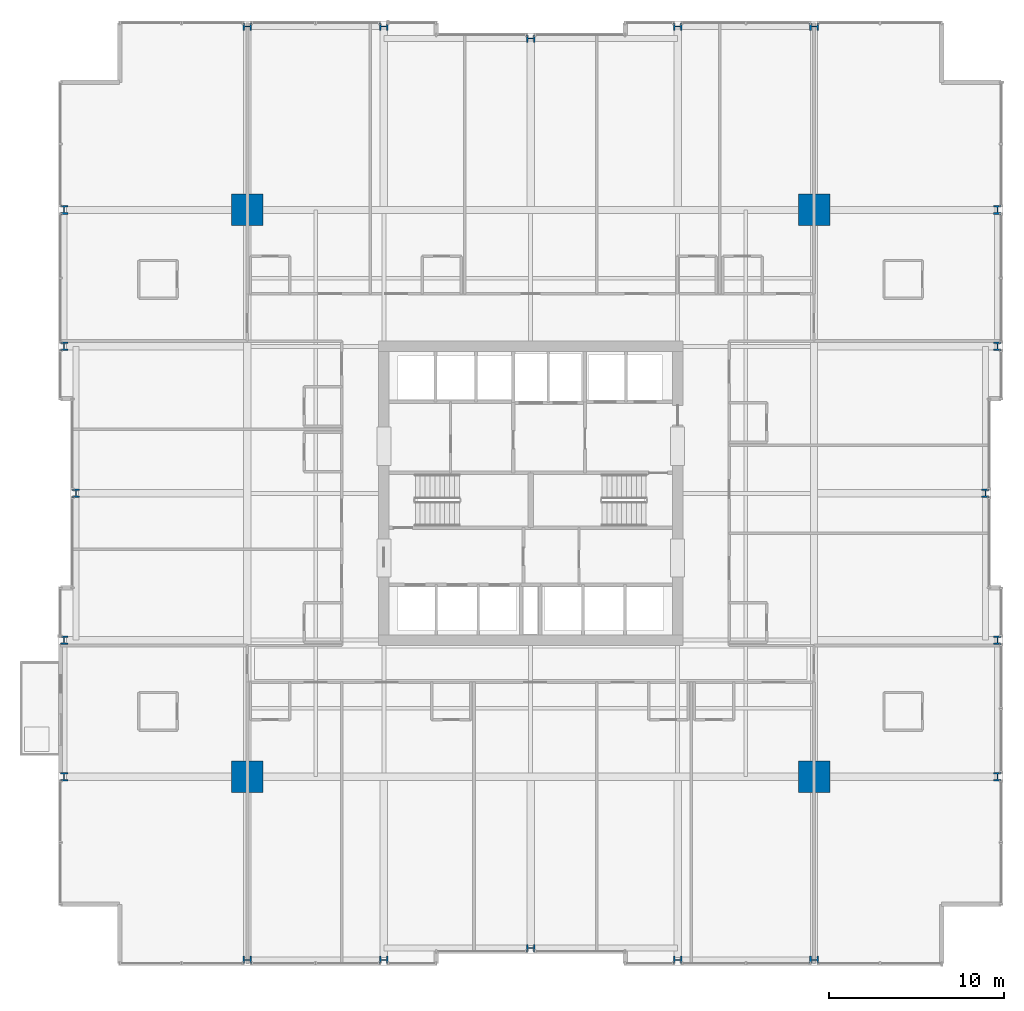
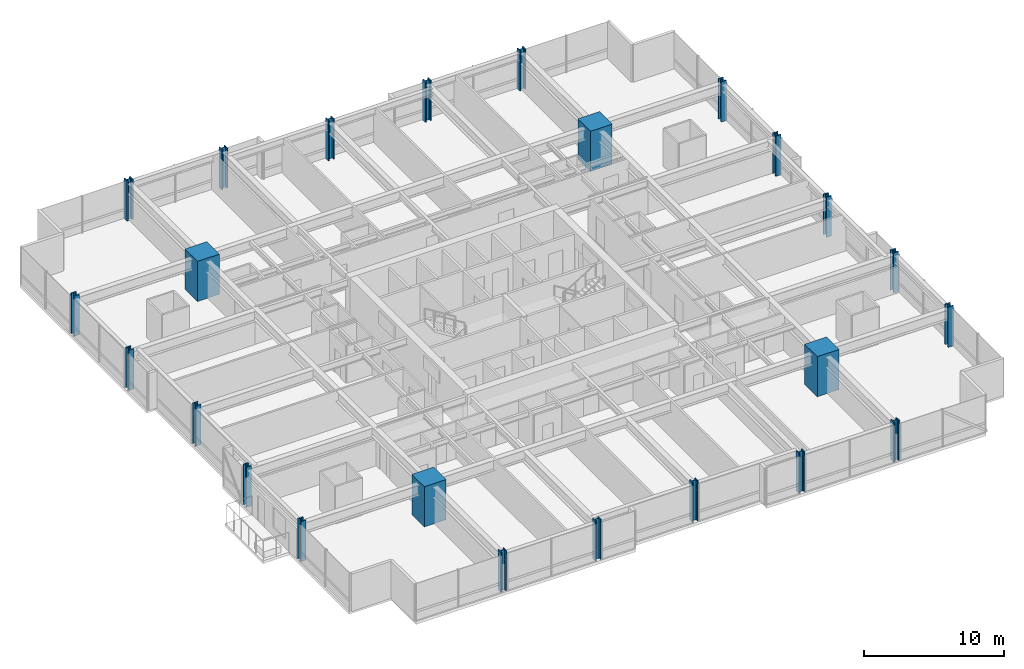
# One storey, part 1 of 39: 24 columns.
"""IFC4 building model written with IfcOpenShell, lengths in metres."""

from ifc_helpers import new_model, si_unit, direction, frame, origin, origin_2d, place, context, subcontext, project, spatial, rectangle, i_section, extrude, material, material_profile, profile_set, type_object, element, save


model = new_model("IFC4")

# Units and contexts
model_context = context("Model", 3, precision=1e-05, world=origin(), true_north=direction((0.0, 1.0)))
body_context = subcontext(model_context, "Body", "Model", "MODEL_VIEW")
ifc_project = project(units=[si_unit("LENGTHUNIT", "METRE"), si_unit("AREAUNIT", "SQUARE_METRE"), si_unit("VOLUMEUNIT", "CUBIC_METRE"), si_unit("PLANEANGLEUNIT", "RADIAN"), si_unit("MASSUNIT", "GRAM", prefix="KILO")], contexts=[model_context])

# Site, building, storey
site_placement = place(None, origin())
site = spatial("IfcSite", under=ifc_project, at=site_placement, CompositionType="ELEMENT")
building_placement = place(site_placement, origin())
building = spatial("IfcBuilding", under=site, at=building_placement, Name="Drelvath Grand Hotel", CompositionType="ELEMENT")
storey_placement = place(building_placement, frame((0.0, 0.0, 54.199951171875)))
storey = spatial("IfcBuildingStorey", under=building, at=storey_placement, Name="L12", CompositionType="ELEMENT", Elevation=54.199951171875)

# Columns
ifc_material_1 = material(Name="Concrete f'c 70 MPa", Category="concrete")
ifc_material_profile_1 = material_profile(ifc_material_1, rectangle(XDim=1.800048828125, YDim=1.800048828125, at=origin_2d()), Name="MC1800X1800")
ifc_profile_set_1 = profile_set([ifc_material_profile_1], Name="Concrete f'c 70 MPa")
column_type_1 = type_object("IfcColumnType", Name="Composite Mega Column MC1800X1800", PredefinedType="COLUMN", material=ifc_profile_set_1)
for number, where, z_axis, x_axis, name in (
    (1, (-16.199951171875, 10.800048828125, 0.0), (0.0, 0.0, 1.0), (1.0, 0.0, 0.0), "L12 Composite Mega Column MC-SW"),
    (2, (16.199951171875, 10.800048828125, 0.0), (0.0, 0.0, 1.0), (1.0, 0.0, 0.0), "L12 Composite Mega Column MC-SE"),
    (3, (-16.199951171875, 43.199951171875, 0.0), (0.0, 0.0, 1.0), (1.0, 0.0, 0.0), "L12 Composite Mega Column MC-NW"),
    (4, (16.199951171875, 43.199951171875, 0.0), (0.0, 0.0, 1.0), (1.0, 0.0, 0.0), "L12 Composite Mega Column MC-NE"),
):
    element("IfcColumn", number, at=place(storey_placement, frame(where, z_axis=z_axis, x_axis=x_axis)), inside=storey, type_object=column_type_1, Name=name, PredefinedType="COLUMN", context=body_context, shape_type="SweptSolid", body=[
        extrude(rectangle(XDim=1.800048828125, YDim=1.800048828125, at=origin_2d()), origin(), (0.0, 0.0, 1.0), 3.5),
    ])
ifc_material_2 = material(Name="Steel ASTM A913 Gr 65", Category="steel")
ifc_material_profile_2 = material_profile(ifc_material_2, i_section(OverallWidth=0.43212890625, OverallDepth=0.497802734375, WebThickness=0.0556640625, FlangeThickness=0.0888671875, FilletRadius=0.030029296875, at=origin_2d()), Name="W14X500")
ifc_profile_set_2 = profile_set([ifc_material_profile_2], Name="Steel ASTM A913 Gr 65")
column_type_2 = type_object("IfcColumnType", Name="Perimeter Steel Column W14X500", PredefinedType="COLUMN", material=ifc_profile_set_2)
for number, where, z_axis, x_axis, name in (
    (5, (-26.679931640625, 10.800048828125, 0.0), (0.0, 0.0, 1.0), (1.0, 0.0, 0.0), "L12 Structural Column TCW-C"),
    (6, (26.679931640625, 10.800048828125, 0.0), (0.0, 0.0, 1.0), (1.0, 0.0, 0.0), "L12 Structural Column TCE-C"),
    (7, (-26.679931640625, 18.60009765625, 0.0), (0.0, 0.0, 1.0), (1.0, 0.0, 0.0), "L12 Structural Column TCW-D"),
    (8, (26.679931640625, 18.60009765625, 0.0), (0.0, 0.0, 1.0), (1.0, 0.0, 0.0), "L12 Structural Column TCE-D"),
    (9, (-26.0, 27.0, 0.0), (0.0, 0.0, 1.0), (1.0, 0.0, 0.0), "L12 Structural Column TCW-E"),
    (10, (26.0, 27.0, 0.0), (0.0, 0.0, 1.0), (1.0, 0.0, 0.0), "L12 Structural Column TCE-E"),
    (11, (-26.679931640625, 35.39990234375, 0.0), (0.0, 0.0, 1.0), (1.0, 0.0, 0.0), "L12 Structural Column TCW-F"),
    (12, (26.679931640625, 35.39990234375, 0.0), (0.0, 0.0, 1.0), (1.0, 0.0, 0.0), "L12 Structural Column TCE-F"),
    (13, (-26.679931640625, 43.199951171875, 0.0), (0.0, 0.0, 1.0), (1.0, 0.0, 0.0), "L12 Structural Column TCW-G"),
    (14, (26.679931640625, 43.199951171875, 0.0), (0.0, 0.0, 1.0), (1.0, 0.0, 0.0), "L12 Structural Column TCE-G"),
    (15, (-16.199951171875, 0.320068359375, 0.0), (0.0, 0.0, 1.0), (0.0, 1.0, 0.0), "L12 Structural Column TCS-3"),
    (16, (-16.199951171875, 53.679931640625, 0.0), (0.0, 0.0, 1.0), (0.0, 1.0, 0.0), "L12 Structural Column TCN-3"),
    (17, (-8.39990234375, 0.320068359375, 0.0), (0.0, 0.0, 1.0), (0.0, 1.0, 0.0), "L12 Structural Column TCS-4"),
    (18, (-8.39990234375, 53.679931640625, 0.0), (0.0, 0.0, 1.0), (0.0, 1.0, 0.0), "L12 Structural Column TCN-4"),
    (19, (0.0, 1.0, 0.0), (0.0, 0.0, 1.0), (0.0, 1.0, 0.0), "L12 Structural Column TCS-5"),
    (20, (0.0, 53.0, 0.0), (0.0, 0.0, 1.0), (0.0, 1.0, 0.0), "L12 Structural Column TCN-5"),
    (21, (8.39990234375, 0.320068359375, 0.0), (0.0, 0.0, 1.0), (0.0, 1.0, 0.0), "L12 Structural Column TCS-6"),
    (22, (8.39990234375, 53.679931640625, 0.0), (0.0, 0.0, 1.0), (0.0, 1.0, 0.0), "L12 Structural Column TCN-6"),
    (23, (16.199951171875, 0.320068359375, 0.0), (0.0, 0.0, 1.0), (0.0, 1.0, 0.0), "L12 Structural Column TCS-7"),
    (24, (16.199951171875, 53.679931640625, 0.0), (0.0, 0.0, 1.0), (0.0, 1.0, 0.0), "L12 Structural Column TCN-7"),
):
    element("IfcColumn", number, at=place(storey_placement, frame(where, z_axis=z_axis, x_axis=x_axis)), inside=storey, type_object=column_type_2, Name=name, PredefinedType="COLUMN", context=body_context, shape_type="SweptSolid", body=[
        extrude(i_section(OverallWidth=0.43212890625, OverallDepth=0.497802734375, WebThickness=0.0556640625, FlangeThickness=0.0888671875, FilletRadius=0.030029296875, at=origin_2d()), origin(), (0.0, 0.0, 1.0), 3.4970703125),
    ])

save(model, "model.ifc")
